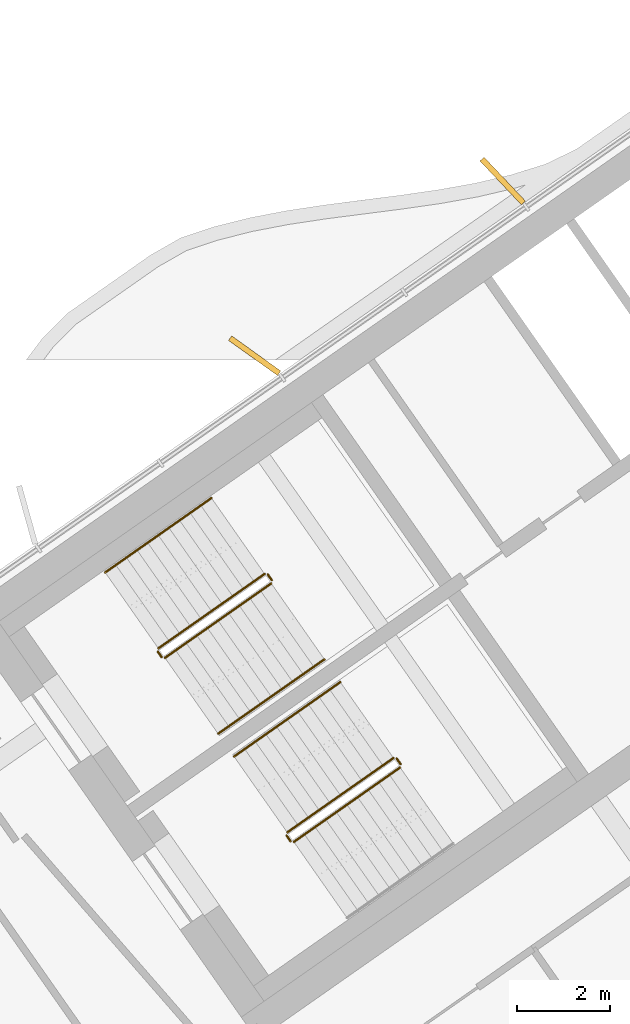
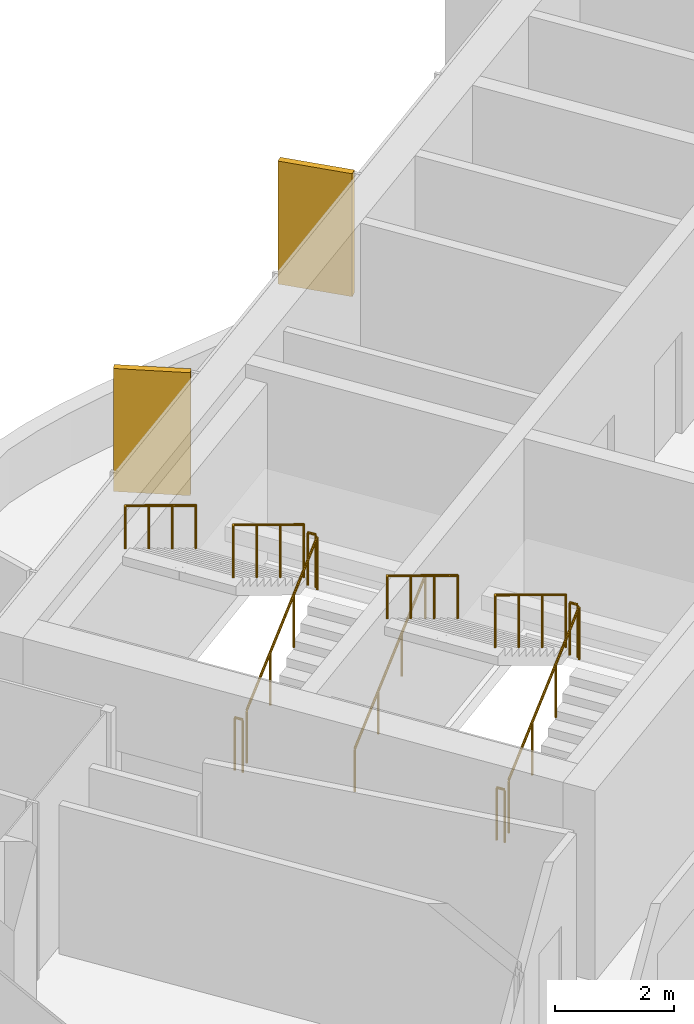
# One storey, part 14 of 17: 11 railings, 2 shading devices.
"""IFC4 building model written with IfcOpenShell, lengths in metres."""

from ifc_helpers import new_model, si_unit, direction, frame, origin, origin_2d, place, context, subcontext, project, spatial, rectangle, circle, extrude, material, layer, layer_set, type_object, element, save


model = new_model("IFC4")

# Units and contexts
model_context = context("Model", 3, precision=1e-05, world=origin(), true_north=direction((0.0, 1.0)))
body_context = subcontext(model_context, "Body", "Model", "MODEL_VIEW")
ifc_project = project(units=[si_unit("LENGTHUNIT", "METRE"), si_unit("AREAUNIT", "SQUARE_METRE"), si_unit("VOLUMEUNIT", "CUBIC_METRE"), si_unit("PLANEANGLEUNIT", "RADIAN"), si_unit("MASSUNIT", "GRAM", prefix="KILO")], contexts=[model_context])

# Site, building, storey
site_placement = place(None, origin())
site = spatial("IfcSite", under=ifc_project, at=site_placement, CompositionType="ELEMENT")
building_placement = place(site_placement, origin())
building = spatial("IfcBuilding", under=site, at=building_placement, Name="Tel Ilan Convention Tower", CompositionType="ELEMENT")
storey_placement = place(building_placement, frame((0.0, 0.0, 280.0)))
storey = spatial("IfcBuildingStorey", under=building, at=storey_placement, Name="L66", CompositionType="ELEMENT", Elevation=280.0)

# Shading devices
ifc_material_1 = material(Name="Aluminium, bronze anodised", Category="aluminium")
ifc_layer = layer(ifc_material_1, 0.1201171875)
ifc_layer_set = layer_set([ifc_layer], Name="FIN BRONZE 1300x120")
shading_device_type = type_object("IfcShadingDeviceType", Name="FIN BRONZE 1300x120", PredefinedType="USERDEFINED", material=ifc_layer_set)
for number, where, z_axis, x_axis, name in (
    (1, (-16.24658203125, 2.2373046875, 1.10009765625), (0.0, 0.0, 1.0), (-0.686241637865, 0.727373641577, 0.0), "FIN"),
    (2, (-21.600830078125, -1.534912109375, 1.10009765625), (0.0, 0.0, 1.0), (-0.813552070258, 0.581492071294, 0.0), "FIN"),
):
    element("IfcShadingDevice", number, at=place(storey_placement, frame(where, z_axis=z_axis, x_axis=x_axis)), inside=storey, type_object=shading_device_type, Name=name, ObjectType="FIN", PredefinedType="USERDEFINED", context=body_context, shape_type="SweptSolid", body=[
        extrude(rectangle(XDim=1.300048828125, YDim=0.1201171875, at=origin_2d()), origin(), (0.0, 0.0, 1.0), 2.52001953125),
    ])

# Railings
ifc_material_2 = material(Name="Stainless Steel Grade 316", Category="steel")
railing_type_1 = type_object("IfcRailingType", Name="Stainless Steel Stair Guard 1100 mm", PredefinedType="GUARDRAIL", material=ifc_material_2)
railing_1_placement = place(storey_placement, frame((-23.535400390625, -8.056396484375, 0.17724609375)))
element("IfcRailing", 3, at=railing_1_placement, inside=storey, type_object=railing_type_1, Name="L66 S1 stair guard 1", PredefinedType="GUARDRAIL", context=body_context, shape_type="SweptSolid", body=[
    extrude(circle(Radius=0.02392578125, at=origin_2d()), frame((0.0, 0.0, 1.076171875), z_axis=(0.692098378994, 0.484653031975, 0.534893701956), x_axis=(-0.573608623498, 0.819129505664, 0.0)), (0.0, 0.0, 1.0), 3.314208984375),
    extrude(circle(Radius=0.02099609375, at=origin_2d()), origin(), (0.0, 0.0, 1.0), 1.052001953125),
    extrude(circle(Radius=0.02099609375, at=origin_2d()), frame((0.7646484375, 0.535400390625, 0.5908203125)), (0.0, 0.0, 1.0), 1.052001953125),
    extrude(circle(Radius=0.02099609375, at=origin_2d()), frame((1.529052734375, 1.07080078125, 1.181884765625)), (0.0, 0.0, 1.0), 1.052001953125),
    extrude(circle(Radius=0.02099609375, at=origin_2d()), frame((2.293701171875, 1.606201171875, 1.772705078125)), (0.0, 0.0, 1.0), 1.052001953125),
])
railing_2_placement = place(storey_placement, frame((-21.2294921875, -6.380615234375, 1.949951171875)))
element("IfcRailing", 4, at=railing_2_placement, inside=storey, type_object=railing_type_1, Name="L66 S1 stair guard 2", PredefinedType="GUARDRAIL", context=body_context, shape_type="SweptSolid", body=[
    extrude(circle(Radius=0.02392578125, at=origin_2d()), frame((0.0, 0.0, 1.076171875), z_axis=(-0.573353020881, 0.819308436089, 0.0), x_axis=(-0.819308436089, -0.573353020881, 0.0)), (0.0, 0.0, 1.0), 0.14990234375),
    extrude(circle(Radius=0.02099609375, at=origin_2d()), origin(), (0.0, 0.0, 1.0), 1.052001953125),
    extrude(circle(Radius=0.02099609375, at=origin_2d()), frame((-0.0859375, 0.122802734375, 0.0)), (0.0, 0.0, 1.0), 1.052001953125),
])
railing_3_placement = place(storey_placement, frame((-21.38525390625, -6.24560546875, 2.127197265625)))
element("IfcRailing", 5, at=railing_3_placement, inside=storey, type_object=railing_type_1, Name="L66 S1 stair guard 3", PredefinedType="GUARDRAIL", context=body_context, shape_type="SweptSolid", body=[
    extrude(circle(Radius=0.02392578125, at=origin_2d()), frame((0.0, 0.0, 1.076171875), z_axis=(-0.692084706163, -0.484621375041, 0.534940073605), x_axis=(0.573591086599, -0.819141785879, 0.0)), (0.0, 0.0, 1.0), 3.313720703125),
    extrude(circle(Radius=0.02099609375, at=origin_2d()), origin(), (0.0, 0.0, 1.0), 1.052001953125),
    extrude(circle(Radius=0.02099609375, at=origin_2d()), frame((-0.764404296875, -0.535400390625, 0.5908203125)), (0.0, 0.0, 1.0), 1.052001953125),
    extrude(circle(Radius=0.02099609375, at=origin_2d()), frame((-1.529052734375, -1.070556640625, 1.181884765625)), (0.0, 0.0, 1.0), 1.052001953125),
    extrude(circle(Radius=0.02099609375, at=origin_2d()), frame((-2.29345703125, -1.60595703125, 1.772705078125)), (0.0, 0.0, 1.0), 1.052001953125),
])
railing_4_placement = place(storey_placement, frame((-23.60498046875, -8.0439453125, 0.0)))
element("IfcRailing", 6, at=railing_4_placement, inside=storey, type_object=railing_type_1, Name="L66 S1 stair guard 4", PredefinedType="GUARDRAIL", context=body_context, shape_type="SweptSolid", body=[
    extrude(circle(Radius=0.02392578125, at=origin_2d()), frame((0.0, 0.0, 1.076171875), z_axis=(-0.574444878118, 0.818543268254, 0.0), x_axis=(-0.818543268254, -0.574444878118, 0.0)), (0.0, 0.0, 1.0), 0.150146484375),
    extrude(circle(Radius=0.02099609375, at=origin_2d()), origin(), (0.0, 0.0, 1.0), 1.052001953125),
    extrude(circle(Radius=0.02099609375, at=origin_2d()), frame((-0.086181640625, 0.122802734375, 0.0)), (0.0, 0.0, 1.0), 1.052001953125),
])
railing_5_placement = place(storey_placement, frame((-20.753662109375, -12.029296875, 0.17724609375)))
element("IfcRailing", 7, at=railing_5_placement, inside=storey, type_object=railing_type_1, Name="L66 S2 stair guard 1", PredefinedType="GUARDRAIL", context=body_context, shape_type="SweptSolid", body=[
    extrude(circle(Radius=0.02392578125, at=origin_2d()), frame((0.0, 0.0, 1.076171875), z_axis=(0.692098378994, 0.484653031975, 0.534893701956), x_axis=(-0.573608623498, 0.819129505664, 0.0)), (0.0, 0.0, 1.0), 3.314208984375),
    extrude(circle(Radius=0.02099609375, at=origin_2d()), origin(), (0.0, 0.0, 1.0), 1.052001953125),
    extrude(circle(Radius=0.02099609375, at=origin_2d()), frame((0.7646484375, 0.535400390625, 0.5908203125)), (0.0, 0.0, 1.0), 1.052001953125),
    extrude(circle(Radius=0.02099609375, at=origin_2d()), frame((1.529052734375, 1.07080078125, 1.181884765625)), (0.0, 0.0, 1.0), 1.052001953125),
    extrude(circle(Radius=0.02099609375, at=origin_2d()), frame((2.293701171875, 1.606201171875, 1.772705078125)), (0.0, 0.0, 1.0), 1.052001953125),
])
railing_6_placement = place(storey_placement, frame((-18.44775390625, -10.353515625, 1.949951171875)))
element("IfcRailing", 8, at=railing_6_placement, inside=storey, type_object=railing_type_1, Name="L66 S2 stair guard 2", PredefinedType="GUARDRAIL", context=body_context, shape_type="SweptSolid", body=[
    extrude(circle(Radius=0.02392578125, at=origin_2d()), frame((0.0, 0.0, 1.076171875), z_axis=(-0.573353020881, 0.819308436089, 0.0), x_axis=(-0.819308436089, -0.573353020881, 0.0)), (0.0, 0.0, 1.0), 0.14990234375),
    extrude(circle(Radius=0.02099609375, at=origin_2d()), origin(), (0.0, 0.0, 1.0), 1.052001953125),
    extrude(circle(Radius=0.02099609375, at=origin_2d()), frame((-0.0859375, 0.122802734375, 0.0)), (0.0, 0.0, 1.0), 1.052001953125),
])
railing_7_placement = place(storey_placement, frame((-18.603271484375, -10.218505859375, 2.127197265625)))
element("IfcRailing", 9, at=railing_7_placement, inside=storey, type_object=railing_type_1, Name="L66 S2 stair guard 3", PredefinedType="GUARDRAIL", context=body_context, shape_type="SweptSolid", body=[
    extrude(circle(Radius=0.02392578125, at=origin_2d()), frame((0.0, 0.0, 1.076171875), z_axis=(-0.692123088272, -0.484596665743, 0.534912798717), x_axis=(0.573550118428, -0.819170471667, 0.0)), (0.0, 0.0, 1.0), 3.31396484375),
    extrude(circle(Radius=0.02099609375, at=origin_2d()), origin(), (0.0, 0.0, 1.0), 1.052001953125),
    extrude(circle(Radius=0.02099609375, at=origin_2d()), frame((-0.7646484375, -0.535400390625, 0.5908203125)), (0.0, 0.0, 1.0), 1.052001953125),
    extrude(circle(Radius=0.02099609375, at=origin_2d()), frame((-1.529052734375, -1.070556640625, 1.181884765625)), (0.0, 0.0, 1.0), 1.052001953125),
    extrude(circle(Radius=0.02099609375, at=origin_2d()), frame((-2.293701171875, -1.60595703125, 1.772705078125)), (0.0, 0.0, 1.0), 1.052001953125),
])
railing_8_placement = place(storey_placement, frame((-20.8232421875, -12.016845703125, 0.0)))
element("IfcRailing", 10, at=railing_8_placement, inside=storey, type_object=railing_type_1, Name="L66 S2 stair guard 4", PredefinedType="GUARDRAIL", context=body_context, shape_type="SweptSolid", body=[
    extrude(circle(Radius=0.02392578125, at=origin_2d()), frame((0.0, 0.0, 1.076171875), z_axis=(-0.573353020881, 0.819308436089, 0.0), x_axis=(-0.819308436089, -0.573353020881, 0.0)), (0.0, 0.0, 1.0), 0.14990234375),
    extrude(circle(Radius=0.02099609375, at=origin_2d()), origin(), (0.0, 0.0, 1.0), 1.052001953125),
    extrude(circle(Radius=0.02099609375, at=origin_2d()), frame((-0.0859375, 0.122802734375, 0.0)), (0.0, 0.0, 1.0), 1.052001953125),
])
ifc_material_3 = material(Name="Stainless Steel Grade 316", Category="steel")
railing_type_2 = type_object("IfcRailingType", Name="Stainless Steel Stair Handrail 900 mm", PredefinedType="HANDRAIL", material=ifc_material_3)
railing_9_placement = place(storey_placement, frame((-22.38818359375, -9.694580078125, 0.17724609375)))
element("IfcRailing", 11, at=railing_9_placement, inside=storey, type_object=railing_type_2, Name="L66 S1 stair handrail 1", PredefinedType="HANDRAIL", context=body_context, shape_type="SweptSolid", body=[
    extrude(circle(Radius=0.02392578125, at=origin_2d()), frame((0.0, 0.0, 0.8759765625), z_axis=(0.692084706163, 0.484621375041, 0.534940073605), x_axis=(-0.573591086599, 0.819141785879, 0.0)), (0.0, 0.0, 1.0), 3.313720703125),
    extrude(circle(Radius=0.02099609375, at=origin_2d()), origin(), (0.0, 0.0, 1.0), 0.851806640625),
    extrude(circle(Radius=0.02099609375, at=origin_2d()), frame((0.764404296875, 0.535400390625, 0.5908203125)), (0.0, 0.0, 1.0), 0.851806640625),
    extrude(circle(Radius=0.02099609375, at=origin_2d()), frame((1.529052734375, 1.070556640625, 1.181884765625)), (0.0, 0.0, 1.0), 0.851806640625),
    extrude(circle(Radius=0.02099609375, at=origin_2d()), frame((2.29345703125, 1.60595703125, 1.772705078125)), (0.0, 0.0, 1.0), 0.851806640625),
])
for number, where, name in (
    (12, (-22.5322265625, -4.607177734375, 2.127197265625), "L66 S1 stair handrail 2"),
    (13, (-19.75048828125, -8.580078125, 2.127197265625), "L66 S2 stair handrail 2"),
):
    element("IfcRailing", number, at=place(storey_placement, frame(where)), inside=storey, type_object=railing_type_2, Name=name, PredefinedType="HANDRAIL", context=body_context, shape_type="SweptSolid", body=[
        extrude(circle(Radius=0.02392578125, at=origin_2d()), frame((0.0, 0.0, 0.8759765625), z_axis=(-0.692123088272, -0.484596665743, 0.534912798717), x_axis=(0.573550118428, -0.819170471667, 0.0)), (0.0, 0.0, 1.0), 3.31396484375),
        extrude(circle(Radius=0.02099609375, at=origin_2d()), origin(), (0.0, 0.0, 1.0), 0.851806640625),
        extrude(circle(Radius=0.02099609375, at=origin_2d()), frame((-0.7646484375, -0.535400390625, 0.5908203125)), (0.0, 0.0, 1.0), 0.851806640625),
        extrude(circle(Radius=0.02099609375, at=origin_2d()), frame((-1.529052734375, -1.070556640625, 1.181884765625)), (0.0, 0.0, 1.0), 0.851806640625),
        extrude(circle(Radius=0.02099609375, at=origin_2d()), frame((-2.293701171875, -1.60595703125, 1.772705078125)), (0.0, 0.0, 1.0), 0.851806640625),
    ])

save(model, "model.ifc")
